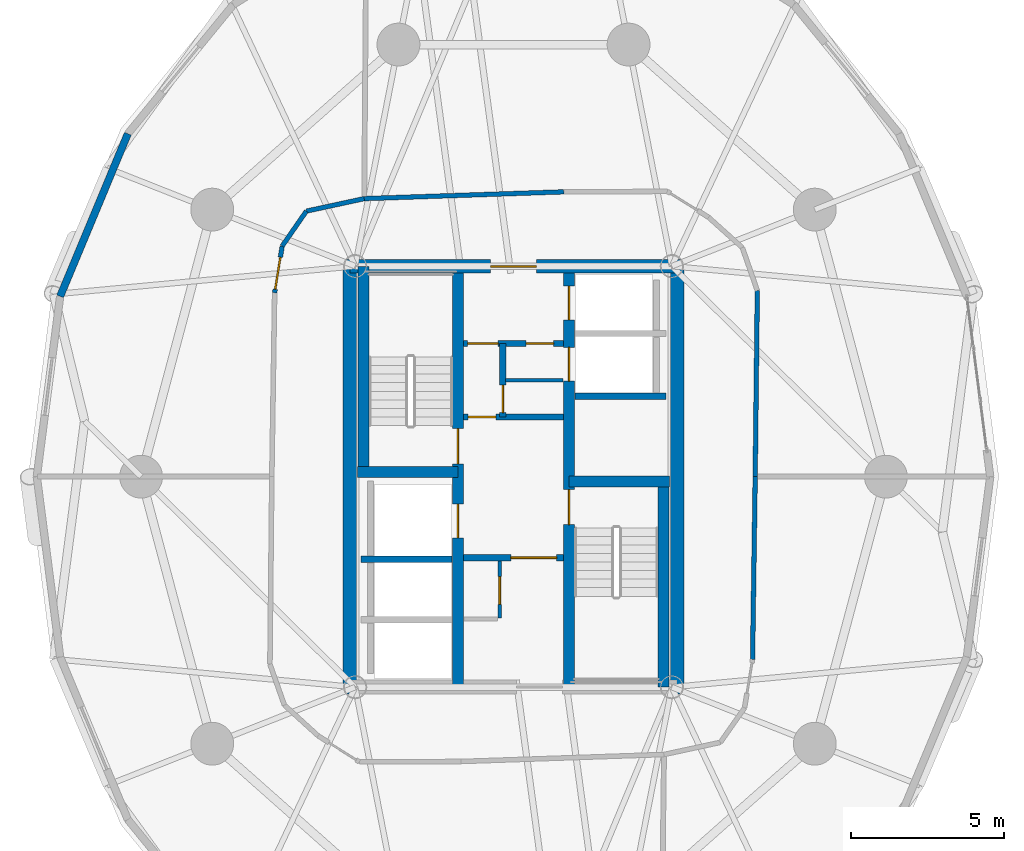
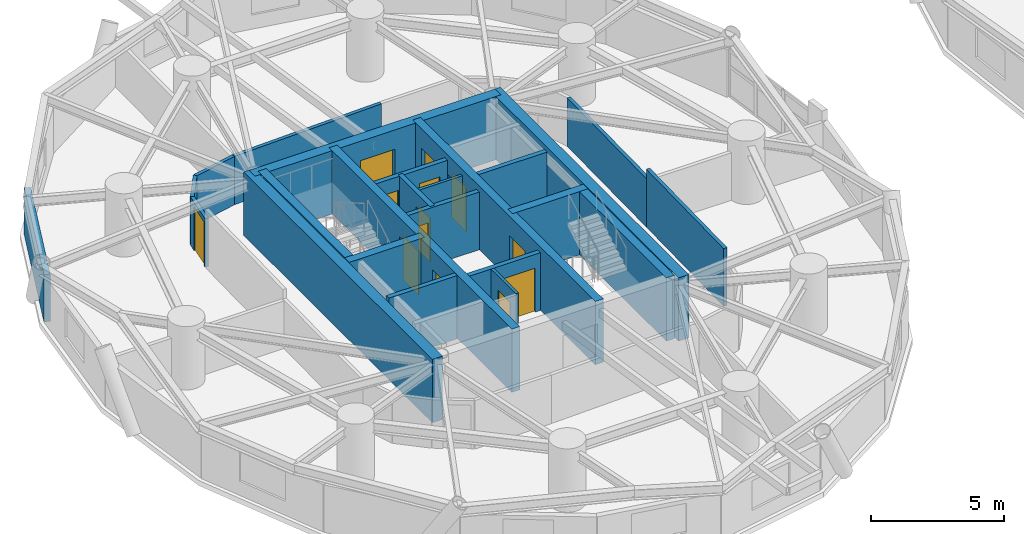
# One storey, part 10 of 16: 24 walls, 13 doors, 13 openings.
"""IFC4 building model written with IfcOpenShell, lengths in metres."""

from ifc_helpers import new_model, si_unit, direction, frame, frame_2d, origin, place, context, subcontext, project, spatial, rectangle, extrude, source, transform, mapped, material, layer, layer_set, type_object, element, fill, save


model = new_model("IFC4")

# Units and contexts
model_context = context("Model", 3, precision=1e-05, world=origin(), true_north=direction((0.0, 1.0)))
body_context = subcontext(model_context, "Body", "Model", "MODEL_VIEW")
ifc_project = project(units=[si_unit("LENGTHUNIT", "METRE"), si_unit("AREAUNIT", "SQUARE_METRE"), si_unit("VOLUMEUNIT", "CUBIC_METRE"), si_unit("PLANEANGLEUNIT", "RADIAN"), si_unit("MASSUNIT", "GRAM", prefix="KILO")], contexts=[model_context])

# Site, building, storey
site_placement = place(None, origin())
site = spatial("IfcSite", under=ifc_project, at=site_placement, CompositionType="ELEMENT")
building_placement = place(site_placement, origin())
building = spatial("IfcBuilding", under=site, at=building_placement, Name="Cununo Teusaquillo Station Towers", CompositionType="ELEMENT")
storey_placement = place(building_placement, frame((0.0, 0.0, 73.06005859375)))
storey = spatial("IfcBuildingStorey", under=building, at=storey_placement, Name="L22", CompositionType="ELEMENT", Elevation=73.06005859375)

# Walls
ifc_material_1 = material(Name="Concrete C50/60", Category="concrete")
ifc_layer_1 = layer(ifc_material_1, 0.199951171875)
ifc_layer_set_1 = layer_set([ifc_layer_1], Name="Concrete C50/60")
wall_type_1 = type_object("IfcWallType", Name="WL-CORE-200", PredefinedType="SHEAR", material=ifc_layer_set_1)
for number, where, z_axis, x_axis, name in (
    (1, (11.52001953125, 21.800048828125, 0.0), (0.0, 0.0, 1.0), (1.0, 0.0, 0.0), "L22 Tower A Firefighting Lift Shaft South Shear Wall"),
    (2, (18.510009765625, 27.1298828125, 0.0), (0.0, 0.0, 1.0), (1.0, 0.0, 0.0), "L22 Tower A Low-Rise Lift Hoistway South Shear Wall"),
):
    element("IfcWall", number, at=place(storey_placement, frame(where, z_axis=z_axis, x_axis=x_axis)), inside=storey, type_object=wall_type_1, Name=name, PredefinedType="SHEAR", context=body_context, shape_type="SweptSolid", body=[
        extrude(rectangle(XDim=2.969970703125, YDim=0.199951171875, at=frame_2d((1.48486328125, 0.0))), origin(), (0.0, 0.0, 1.0), 2.909912109375),
    ])

# Wall, openings, doors
ifc_material_2 = material(Name="Concrete C50/60", Category="concrete")
ifc_layer_2 = layer(ifc_material_2, 0.35009765625)
ifc_layer_set_2 = layer_set([ifc_layer_2], Name="Concrete C50/60")
wall_type_2 = type_object("IfcWallType", Name="WL-CORE-350", PredefinedType="SHEAR", material=ifc_layer_set_2)
wall_1_placement = place(storey_placement, frame((14.68505859375, 17.625, 0.0), z_axis=(0.0, 0.0, 1.0), x_axis=(0.0, 1.0, 0.0)))
wall_1 = element("IfcWall", 3, at=wall_1_placement, inside=storey, type_object=wall_type_2, Name="L22 Tower A Core Shear Wall IW", PredefinedType="SHEAR", context=body_context, shape_type="SweptSolid", body=[
    extrude(rectangle(XDim=13.75, YDim=0.35009765625, at=frame_2d((6.875, 0.0))), origin(), (0.0, 0.0, 1.0), 2.909912109375),
])
shared_shape_1 = source(origin(), body_context, "Body", "SweptSolid", [
    extrude(rectangle(XDim=1.10009765625, YDim=2.014892578125, at=frame_2d((0.550048828125, 1.00732421875))), frame((0.0, 0.18505859375, 0.0), z_axis=(0.0, -1.0, 0.0), x_axis=(1.0, 0.0, 0.0)), (0.0, 0.0, 1.0), 0.3701171875),
])
opening_1_placement = place(wall_1_placement, frame((4.875, 0.0, 0.0)))
opening_1 = element("IfcOpeningElement", 4, at=opening_1_placement, cuts=wall_1, Name="Opening LD-01", PredefinedType="OPENING", context=body_context, shape_type="MappedRepresentation", body=[
    mapped(shared_shape_1, transform((0.0, 0.0, 0.0), x_axis=(1.0, 0.0, 0.0), y_axis=(0.0, 1.0, 0.0), z_axis=(0.0, 0.0, 1.0), scale=1.0)),
])
shared_shape_2 = source(origin(), body_context, "Body", "SweptSolid", [
    extrude(rectangle(XDim=1.14990234375, YDim=2.02001953125, at=frame_2d((0.574951171875, 1.010009765625))), frame((0.0, 0.18505859375, 0.0), z_axis=(0.0, -1.0, 0.0), x_axis=(1.0, 0.0, 0.0)), (0.0, 0.0, 1.0), 0.3701171875),
])
opening_2_placement = place(wall_1_placement, frame((7.294921875, 0.0, 0.0)))
opening_2 = element("IfcOpeningElement", 5, at=opening_2_placement, cuts=wall_1, Name="Opening D-ST1", PredefinedType="OPENING", context=body_context, shape_type="MappedRepresentation", body=[
    mapped(shared_shape_2, transform((0.0, 0.0, 0.0), x_axis=(1.0, 0.0, 0.0), y_axis=(0.0, 1.0, 0.0), z_axis=(0.0, 0.0, 1.0), scale=1.0)),
])
ifc_material_3 = material(Name="Galvanised fire-rated hollow steel door assembly", Category="steel")
door_type_1 = type_object("IfcDoorType", Name="DR-LIFT-1100", OperationType="SLIDING_TO_LEFT", PredefinedType="DOOR", material=ifc_material_3)
shared_shape_3 = source(origin(), body_context, "Body", "SweptSolid", [
    extrude(rectangle(XDim=1.10009765625, YDim=2.014892578125, at=frame_2d((0.550048828125, 1.00732421875))), frame((0.0, 0.02490234375, 0.0), z_axis=(0.0, -1.0, 0.0), x_axis=(1.0, 0.0, 0.0)), (0.0, 0.0, 1.0), 0.050048828125),
])
door_1_placement = place(opening_1_placement, origin())
door_1 = element("IfcDoor", 6, at=door_1_placement, inside=storey, type_object=door_type_1, Name="L22 Lift FL-T1 Sliding Landing Door", OperationType="SLIDING_TO_LEFT", OverallHeight=2.014892578125, OverallWidth=1.10009765625, PredefinedType="DOOR", context=body_context, shape_type="MappedRepresentation", body=[
    mapped(shared_shape_3, transform((0.0, 0.0, 0.0), x_axis=(1.0, 0.0, 0.0), y_axis=(0.0, 1.0, 0.0), z_axis=(0.0, 0.0, 1.0), scale=1.0)),
])
fill(opening_1, door_1)
ifc_material_4 = material(Name="Galvanised fire-rated hollow steel door assembly", Category="steel")
door_type_2 = type_object("IfcDoorType", Name="DR-STAIR-1150", OperationType="NOTDEFINED", PredefinedType="DOOR", material=ifc_material_4)
shared_shape_4 = source(origin(), body_context, "Body", "SweptSolid", [
    extrude(rectangle(XDim=1.14990234375, YDim=2.02001953125, at=frame_2d((0.574951171875, 1.010009765625))), frame((0.0, 0.02490234375, 0.0), z_axis=(0.0, -1.0, 0.0), x_axis=(1.0, 0.0, 0.0)), (0.0, 0.0, 1.0), 0.050048828125),
])
door_2_placement = place(opening_2_placement, origin())
door_2 = element("IfcDoor", 7, at=door_2_placement, inside=storey, type_object=door_type_2, Name="L22 Tower A Exit Stair 1 Fire Door", OperationType="SINGLE_SWING_LEFT", OverallHeight=2.02001953125, OverallWidth=1.14990234375, PredefinedType="DOOR", context=body_context, shape_type="MappedRepresentation", body=[
    mapped(shared_shape_4, transform((0.0, 0.0, 0.0), x_axis=(1.0, 0.0, 0.0), y_axis=(0.0, 1.0, 0.0), z_axis=(0.0, 0.0, 1.0), scale=1.0)),
])
fill(opening_2, door_2)

wall_2_placement = place(storey_placement, frame((18.31494140625, 17.625, 0.0), z_axis=(0.0, 0.0, 1.0), x_axis=(0.0, 1.0, 0.0)))
wall_2 = element("IfcWall", 8, at=wall_2_placement, inside=storey, type_object=wall_type_2, Name="L22 Tower A Core Shear Wall IE", PredefinedType="SHEAR", context=body_context, shape_type="SweptSolid", body=[
    extrude(rectangle(XDim=13.75, YDim=0.35009765625, at=frame_2d((6.875, 0.0))), origin(), (0.0, 0.0, 1.0), 2.909912109375),
])
opening_3_placement = place(wall_2_placement, frame((10.0, 0.0, 0.0)))
opening_3 = element("IfcOpeningElement", 9, at=opening_3_placement, cuts=wall_2, Name="Opening LD-01", PredefinedType="OPENING", context=body_context, shape_type="MappedRepresentation", body=[
    mapped(shared_shape_1, transform((0.0, 0.0, 0.0), x_axis=(1.0, 0.0, 0.0), y_axis=(0.0, 1.0, 0.0), z_axis=(0.0, 0.0, 1.0), scale=1.0)),
])
opening_4_placement = place(wall_2_placement, frame((12.0, 0.0, 0.0)))
opening_4 = element("IfcOpeningElement", 10, at=opening_4_placement, cuts=wall_2, Name="Opening LD-01", PredefinedType="OPENING", context=body_context, shape_type="MappedRepresentation", body=[
    mapped(shared_shape_1, transform((0.0, 0.0, 0.0), x_axis=(1.0, 0.0, 0.0), y_axis=(0.0, 1.0, 0.0), z_axis=(0.0, 0.0, 1.0), scale=1.0)),
])
opening_5_placement = place(wall_2_placement, frame((5.304931640625, 0.0, 0.0)))
opening_5 = element("IfcOpeningElement", 11, at=opening_5_placement, cuts=wall_2, Name="Opening D-ST1", PredefinedType="OPENING", context=body_context, shape_type="MappedRepresentation", body=[
    mapped(shared_shape_2, transform((0.0, 0.0, 0.0), x_axis=(1.0, 0.0, 0.0), y_axis=(0.0, 1.0, 0.0), z_axis=(0.0, 0.0, 1.0), scale=1.0)),
])
door_3_placement = place(opening_3_placement, origin())
door_3 = element("IfcDoor", 12, at=door_3_placement, inside=storey, type_object=door_type_1, Name="L22 Lift PL-T1-L1 Sliding Landing Door", OperationType="SLIDING_TO_LEFT", OverallHeight=2.014892578125, OverallWidth=1.10009765625, PredefinedType="DOOR", context=body_context, shape_type="MappedRepresentation", body=[
    mapped(shared_shape_3, transform((0.0, 0.0, 0.0), x_axis=(1.0, 0.0, 0.0), y_axis=(0.0, 1.0, 0.0), z_axis=(0.0, 0.0, 1.0), scale=1.0)),
])
fill(opening_3, door_3)
door_4_placement = place(opening_4_placement, origin())
door_4 = element("IfcDoor", 13, at=door_4_placement, inside=storey, type_object=door_type_1, Name="L22 Lift PL-T1-L2 Sliding Landing Door", OperationType="SLIDING_TO_RIGHT", OverallHeight=2.014892578125, OverallWidth=1.10009765625, PredefinedType="DOOR", context=body_context, shape_type="MappedRepresentation", body=[
    mapped(shared_shape_3, transform((0.0, 0.0, 0.0), x_axis=(1.0, 0.0, 0.0), y_axis=(0.0, 1.0, 0.0), z_axis=(0.0, 0.0, 1.0), scale=1.0)),
])
fill(opening_4, door_4)
door_5_placement = place(opening_5_placement, origin())
door_5 = element("IfcDoor", 14, at=door_5_placement, inside=storey, type_object=door_type_2, Name="L22 Tower A Exit Stair 2 Fire Door", OperationType="SINGLE_SWING_RIGHT", OverallHeight=2.02001953125, OverallWidth=1.14990234375, PredefinedType="DOOR", context=body_context, shape_type="MappedRepresentation", body=[
    mapped(shared_shape_4, transform((0.0, 0.0, 0.0), x_axis=(1.0, 0.0, 0.0), y_axis=(0.0, 1.0, 0.0), z_axis=(0.0, 0.0, 1.0), scale=1.0)),
])
fill(opening_5, door_5)

# Walls
wall_3_placement = place(storey_placement, frame((11.594970703125, 24.655029296875, 0.0), z_axis=(0.0, 0.0, 1.0), x_axis=(0.0, 1.0, 0.0)))
element("IfcWall", 15, at=wall_3_placement, inside=storey, type_object=wall_type_2, Name="L22 Tower A Core Shear Wall ST1W", PredefinedType="SHEAR", context=body_context, shape_type="SweptSolid", body=[
    extrude(rectangle(XDim=6.719970703125, YDim=0.35009765625, at=frame_2d((3.35986328125, 0.0))), origin(), (0.0, 0.0, 1.0), 2.909912109375),
])
wall_4_placement = place(storey_placement, frame((11.39990234375, 24.655029296875, 0.0), z_axis=(0.0, 0.0, 1.0), x_axis=(1.0, 0.0, 0.0)))
element("IfcWall", 16, at=wall_4_placement, inside=storey, type_object=wall_type_2, Name="L22 Tower A Core Shear Wall ST1S", PredefinedType="SHEAR", context=body_context, shape_type="SweptSolid", body=[
    extrude(rectangle(XDim=3.28515625, YDim=0.35009765625, at=frame_2d((1.642578125, 0.0))), origin(), (0.0, 0.0, 1.0), 2.909912109375),
])
wall_5_placement = place(storey_placement, frame((21.405029296875, 17.625, 0.0), z_axis=(0.0, 0.0, 1.0), x_axis=(0.0, 1.0, 0.0)))
element("IfcWall", 17, at=wall_5_placement, inside=storey, type_object=wall_type_2, Name="L22 Tower A Core Shear Wall ST2E", PredefinedType="SHEAR", context=body_context, shape_type="SweptSolid", body=[
    extrude(rectangle(XDim=6.719970703125, YDim=0.35009765625, at=frame_2d((3.35986328125, 0.0))), origin(), (0.0, 0.0, 1.0), 2.909912109375),
])
wall_6_placement = place(storey_placement, frame((18.31494140625, 24.344970703125, 0.0), z_axis=(0.0, 0.0, 1.0), x_axis=(1.0, 0.0, 0.0)))
element("IfcWall", 18, at=wall_6_placement, inside=storey, type_object=wall_type_2, Name="L22 Tower A Core Shear Wall ST2N", PredefinedType="SHEAR", context=body_context, shape_type="SweptSolid", body=[
    extrude(rectangle(XDim=3.28515625, YDim=0.35009765625, at=frame_2d((1.642578125, 0.0))), origin(), (0.0, 0.0, 1.0), 2.909912109375),
])
ifc_material_5 = material(Name="Concrete C60/75", Category="concrete")
ifc_layer_3 = layer(ifc_material_5, 0.449951171875)
ifc_layer_set_3 = layer_set([ifc_layer_3], Name="Concrete C60/75")
wall_type_3 = type_object("IfcWallType", Name="WL-CORE-450", PredefinedType="SHEAR", material=ifc_layer_set_3)
for number, where, z_axis, x_axis, name in (
    (19, (11.14990234375, 17.39990234375, 0.0), (0.0, 0.0, 1.0), (0.0, 1.0, 0.0), "L22 Tower A Core Shear Wall W"),
    (20, (21.85009765625, 17.39990234375, 0.0), (0.0, 0.0, 1.0), (0.0, 1.0, 0.0), "L22 Tower A Core Shear Wall E"),
):
    element("IfcWall", number, at=place(storey_placement, frame(where, z_axis=z_axis, x_axis=x_axis)), inside=storey, type_object=wall_type_3, Name=name, PredefinedType="SHEAR", context=body_context, shape_type="SweptSolid", body=[
        extrude(rectangle(XDim=14.2001953125, YDim=0.449951171875, at=frame_2d((7.10009765625, 0.0))), origin(), (0.0, 0.0, 1.0), 2.909912109375),
    ])

# Wall, opening, door
wall_7_placement = place(storey_placement, frame((11.14990234375, 31.375, 0.0), z_axis=(0.0, 0.0, 1.0), x_axis=(1.0, 0.0, 0.0)))
wall_7 = element("IfcWall", 21, at=wall_7_placement, inside=storey, type_object=wall_type_3, Name="L22 Tower A Core Shear Wall N", PredefinedType="SHEAR", context=body_context, shape_type="SweptSolid", body=[
    extrude(rectangle(XDim=10.7001953125, YDim=0.449951171875, at=frame_2d((5.35009765625, 0.0))), origin(), (0.0, 0.0, 1.0), 2.909912109375),
])
shared_shape_5 = source(origin(), body_context, "Body", "SweptSolid", [
    extrude(rectangle(XDim=1.5, YDim=2.02001953125, at=frame_2d((0.75, 1.010009765625))), frame((0.0, 0.23486328125, 0.0), z_axis=(0.0, -1.0, 0.0), x_axis=(1.0, 0.0, 0.0)), (0.0, 0.0, 1.0), 0.469970703125),
])
opening_6_placement = place(wall_7_placement, frame((4.60009765625, 0.0, 0.0)))
opening_6 = element("IfcOpeningElement", 22, at=opening_6_placement, cuts=wall_7, Name="Opening D-LB1", PredefinedType="OPENING", context=body_context, shape_type="MappedRepresentation", body=[
    mapped(shared_shape_5, transform((0.0, 0.0, 0.0), x_axis=(1.0, 0.0, 0.0), y_axis=(0.0, 1.0, 0.0), z_axis=(0.0, 0.0, 1.0), scale=1.0)),
])
ifc_material_6 = material(Name="Galvanised fire-rated hollow steel door assembly", Category="steel")
door_type_3 = type_object("IfcDoorType", Name="DR-LOBBY-1500", OperationType="DOUBLE_DOOR_SINGLE_SWING", PredefinedType="DOOR", material=ifc_material_6)
shared_shape_6 = source(origin(), body_context, "Body", "SweptSolid", [
    extrude(rectangle(XDim=1.5, YDim=2.02001953125, at=frame_2d((0.75, 1.010009765625))), frame((0.0, 0.02490234375, 0.0), z_axis=(0.0, -1.0, 0.0), x_axis=(1.0, 0.0, 0.0)), (0.0, 0.0, 1.0), 0.050048828125),
])
door_6_placement = place(opening_6_placement, origin())
door_6 = element("IfcDoor", 23, at=door_6_placement, inside=storey, type_object=door_type_3, Name="L22 Tower A North Core Lift Lobby Door", OperationType="DOUBLE_DOOR_SINGLE_SWING", OverallHeight=2.02001953125, OverallWidth=1.5, PredefinedType="DOOR", context=body_context, shape_type="MappedRepresentation", body=[
    mapped(shared_shape_6, transform((0.0, 0.0, 0.0), x_axis=(1.0, 0.0, 0.0), y_axis=(0.0, 1.0, 0.0), z_axis=(0.0, 0.0, 1.0), scale=1.0)),
])
fill(opening_6, door_6)

# Wall
ifc_material_7 = material(Name="Precast concrete C40/50", Category="concrete")
ifc_layer_4 = layer(ifc_material_7, 0.239990234375)
ifc_layer_set_4 = layer_set([ifc_layer_4], Name="Precast concrete C40/50")
wall_type_4 = type_object("IfcWallType", Name="WL-EXT-240", PredefinedType="SOLIDWALL", material=ifc_layer_set_4)
wall_8_placement = place(storey_placement, frame((1.681640625, 30.39306640625, 0.0), z_axis=(0.0, 0.0, 1.0), x_axis=(0.384344417632, 0.923189779317, 0.0)))
element("IfcWall", 24, at=wall_8_placement, inside=storey, type_object=wall_type_4, Name="L22 Tower A Exterior Facade Wall C08", PredefinedType="SOLIDWALL", context=body_context, shape_type="SweptSolid", body=[
    extrude(rectangle(XDim=5.75830078125, YDim=0.239990234375, at=frame_2d((2.879150390625, 0.0))), origin(), (0.0, 0.0, 1.0), 2.178955078125),
])

# Wall, opening, door
ifc_material_8 = material(Name="Fire-rated gypsum plasterboard partition assembly", Category="gypsum")
ifc_layer_5 = layer(ifc_material_8, 0.125)
ifc_layer_set_5 = layer_set([ifc_layer_5], Name="Fire-rated gypsum plasterboard partition assembly")
wall_type_5 = type_object("IfcWallType", Name="WL-PART-125", PredefinedType="PARTITIONING", material=ifc_layer_set_5)
wall_9_placement = place(storey_placement, frame((16.050048828125, 19.8798828125, 0.0), z_axis=(0.0, 0.0, 1.0), x_axis=(0.0, 1.0, 0.0)))
wall_9 = element("IfcWall", 25, at=wall_9_placement, inside=storey, type_object=wall_type_5, Name="L22 Tower A North-West Lobby Store East Wall", PredefinedType="PARTITIONING", context=body_context, shape_type="SweptSolid", body=[
    extrude(rectangle(XDim=1.8701171875, YDim=0.125, at=frame_2d((0.93505859375, 0.0))), origin(), (0.0, 0.0, 1.0), 2.655029296875),
])
shared_shape_7 = source(origin(), body_context, "Body", "SweptSolid", [
    extrude(rectangle(XDim=0.89990234375, YDim=2.0048828125, at=frame_2d((0.449951171875, 1.00244140625))), frame((0.0, 0.072509765625, 0.0), z_axis=(0.0, -1.0, 0.0), x_axis=(1.0, 0.0, 0.0)), (0.0, 0.0, 1.0), 0.14501953125),
])
opening_7_placement = place(wall_9_placement, frame((0.449951171875, 0.0, 0.0)))
opening_7 = element("IfcOpeningElement", 26, at=opening_7_placement, cuts=wall_9, Name="Opening D-SR1", PredefinedType="OPENING", context=body_context, shape_type="MappedRepresentation", body=[
    mapped(shared_shape_7, transform((0.0, 0.0, 0.0), x_axis=(1.0, 0.0, 0.0), y_axis=(0.0, 1.0, 0.0), z_axis=(0.0, 0.0, 1.0), scale=1.0)),
])
ifc_material_9 = material(Name="Galvanised fire-rated hollow steel door assembly", Category="steel")
door_type_4 = type_object("IfcDoorType", Name="DR-STORE-900", OperationType="NOTDEFINED", PredefinedType="DOOR", material=ifc_material_9)
shared_shape_8 = source(origin(), body_context, "Body", "SweptSolid", [
    extrude(rectangle(XDim=0.89990234375, YDim=2.0048828125, at=frame_2d((0.449951171875, 1.00244140625))), frame((0.0, 0.02490234375, 0.0), z_axis=(0.0, -1.0, 0.0), x_axis=(1.0, 0.0, 0.0)), (0.0, 0.0, 1.0), 0.050048828125),
])
door_7_placement = place(opening_7_placement, origin())
door_7 = element("IfcDoor", 27, at=door_7_placement, inside=storey, type_object=door_type_4, Name="L22 Tower A South Lobby Data Store Door", OperationType="SINGLE_SWING_LEFT", OverallHeight=2.0048828125, OverallWidth=0.89990234375, PredefinedType="DOOR", context=body_context, shape_type="MappedRepresentation", body=[
    mapped(shared_shape_8, transform((0.0, 0.0, 0.0), x_axis=(1.0, 0.0, 0.0), y_axis=(0.0, 1.0, 0.0), z_axis=(0.0, 0.0, 1.0), scale=1.0)),
])
fill(opening_7, door_7)

# Walls
wall_10_placement = place(storey_placement, frame((16.239990234375, 27.64990234375, 0.0), z_axis=(0.0, 0.0, 1.0), x_axis=(1.0, 0.0, 0.0)))
element("IfcWall", 28, at=wall_10_placement, inside=storey, type_object=wall_type_5, Name="L22 Tower A Core Horizontal Split Wall", PredefinedType="PARTITIONING", context=body_context, shape_type="SweptSolid", body=[
    extrude(rectangle(XDim=1.880126953125, YDim=0.125, at=frame_2d((0.93994140625, 0.0))), origin(), (0.0, 0.0, 1.0), 2.655029296875),
])
ifc_material_10 = material(Name="Fire-rated gypsum plasterboard partition assembly", Category="gypsum")
ifc_layer_6 = layer(ifc_material_10, 0.14990234375)
ifc_layer_set_6 = layer_set([ifc_layer_6], Name="Fire-rated gypsum plasterboard partition assembly")
wall_type_6 = type_object("IfcWallType", Name="WL-PART-150", PredefinedType="PARTITIONING", material=ifc_layer_set_6)
wall_11_placement = place(storey_placement, frame((24.39990234375, 24.5, 0.0), z_axis=(0.0, 0.0, 1.0), x_axis=(0.011359710161, 0.999935476411, 0.0)))
element("IfcWall", 29, at=wall_11_placement, inside=storey, type_object=wall_type_6, Name="L22 Tower A Corridor Ring Wall C00", PredefinedType="PARTITIONING", context=body_context, shape_type="SweptSolid", body=[
    extrude(rectangle(XDim=6.082275390625, YDim=0.14990234375, at=frame_2d((3.041015625, 0.0))), origin(), (0.0, 0.0, 1.0), 2.224853515625),
])
wall_12_placement = place(storey_placement, frame((18.142822265625, 33.8095703125, 0.0), z_axis=(0.0, 0.0, 1.0), x_axis=(-0.999423023908, -0.033964971394, 0.0)))
element("IfcWall", 30, at=wall_12_placement, inside=storey, type_object=wall_type_6, Name="L22 Tower A Corridor Ring Wall C05", PredefinedType="PARTITIONING", context=body_context, shape_type="SweptSolid", body=[
    extrude(rectangle(XDim=6.526611328125, YDim=0.14990234375, at=frame_2d((3.26318359375, 0.0))), origin(), (0.0, 0.0, 1.0), 2.224853515625),
])
wall_13_placement = place(storey_placement, frame((11.619873046875, 33.587890625, 0.0), z_axis=(0.0, 0.0, 1.0), x_axis=(-0.977392314559, -0.211433827571, 0.0)))
element("IfcWall", 31, at=wall_13_placement, inside=storey, type_object=wall_type_6, Name="L22 Tower A Corridor Ring Wall C06", PredefinedType="PARTITIONING", context=body_context, shape_type="SweptSolid", body=[
    extrude(rectangle(XDim=1.93408203125, YDim=0.14990234375, at=frame_2d((0.967041015625, 0.0))), origin(), (0.0, 0.0, 1.0), 2.224853515625),
])
wall_14_placement = place(storey_placement, frame((9.7294921875, 33.178955078125, 0.0), z_axis=(0.0, 0.0, 1.0), x_axis=(-0.569155068352, -0.822230203878, 0.0)))
element("IfcWall", 32, at=wall_14_placement, inside=storey, type_object=wall_type_6, Name="L22 Tower A Corridor Ring Wall C07", PredefinedType="PARTITIONING", context=body_context, shape_type="SweptSolid", body=[
    extrude(rectangle(XDim=1.38720703125, YDim=0.14990234375, at=frame_2d((0.693603515625, 0.0))), origin(), (0.0, 0.0, 1.0), 2.224853515625),
])

# Wall, opening, door
wall_15_placement = place(storey_placement, frame((8.93994140625, 32.038330078125, 0.0), z_axis=(0.0, 0.0, 1.0), x_axis=(-0.159917336462, -0.987130409571, 0.0)))
wall_15 = element("IfcWall", 33, at=wall_15_placement, inside=storey, type_object=wall_type_6, Name="L22 Tower A Corridor Ring Wall C08", PredefinedType="PARTITIONING", context=body_context, shape_type="SweptSolid", body=[
    extrude(rectangle(XDim=1.546630859375, YDim=0.14990234375, at=frame_2d((0.7734375, 0.0))), origin(), (0.0, 0.0, 1.0), 2.224853515625),
])
shared_shape_9 = source(origin(), body_context, "Body", "SweptSolid", [
    extrude(rectangle(XDim=1.050048828125, YDim=2.014892578125, at=frame_2d((0.52490234375, 1.00732421875))), frame((0.0, 0.0849609375, 0.0), z_axis=(0.0, -1.0, 0.0), x_axis=(1.0, 0.0, 0.0)), (0.0, 0.0, 1.0), 0.169921875),
])
opening_8_placement = place(wall_15_placement, frame((0.376708984375, 0.0, 0.0)))
opening_8 = element("IfcOpeningElement", 34, at=opening_8_placement, cuts=wall_15, Name="Opening D-SU1", PredefinedType="OPENING", context=body_context, shape_type="MappedRepresentation", body=[
    mapped(shared_shape_9, transform((0.0, 0.0, 0.0), x_axis=(1.0, 0.0, 0.0), y_axis=(0.0, 1.0, 0.0), z_axis=(0.0, 0.0, 1.0), scale=1.0)),
])
ifc_material_11 = material(Name="Acoustic solid-core hardwood leaf assembly", Category="wood")
door_type_5 = type_object("IfcDoorType", Name="DR-SUITE-1050", OperationType="NOTDEFINED", PredefinedType="DOOR", material=ifc_material_11)
shared_shape_10 = source(origin(), body_context, "Body", "SweptSolid", [
    extrude(rectangle(XDim=1.050048828125, YDim=2.014892578125, at=frame_2d((0.52490234375, 1.00732421875))), frame((0.0, 0.02490234375, 0.0), z_axis=(0.0, -1.0, 0.0), x_axis=(1.0, 0.0, 0.0)), (0.0, 0.0, 1.0), 0.050048828125),
])
door_8_placement = place(opening_8_placement, origin())
door_8 = element("IfcDoor", 35, at=door_8_placement, inside=storey, type_object=door_type_5, Name="L22 Tower A West Project Collaboration Hub Entrance Door", OperationType="SINGLE_SWING_LEFT", OverallHeight=2.014892578125, OverallWidth=1.050048828125, PredefinedType="DOOR", context=body_context, shape_type="MappedRepresentation", body=[
    mapped(shared_shape_10, transform((0.0, 0.0, 0.0), x_axis=(1.0, 0.0, 0.0), y_axis=(0.0, 1.0, 0.0), z_axis=(0.0, 0.0, 1.0), scale=1.0)),
])
fill(opening_8, door_8)

# Wall
wall_16_placement = place(storey_placement, frame((24.3134765625, 18.52880859375, 0.0), z_axis=(0.0, 0.0, 1.0), x_axis=(0.014472275982, 0.99989527113, 0.0)))
element("IfcWall", 36, at=wall_16_placement, inside=storey, type_object=wall_type_6, Name="L22 Tower A Corridor Ring Wall C19", PredefinedType="PARTITIONING", context=body_context, shape_type="SweptSolid", body=[
    extrude(rectangle(XDim=5.971923828125, YDim=0.14990234375, at=frame_2d((2.98583984375, 0.0))), origin(), (0.0, 0.0, 1.0), 2.655029296875),
])

# Wall, opening, door
ifc_material_12 = material(Name="Fire-rated gypsum plasterboard partition assembly", Category="gypsum")
ifc_layer_7 = layer(ifc_material_12, 0.199951171875)
ifc_layer_set_7 = layer_set([ifc_layer_7], Name="Fire-rated gypsum plasterboard partition assembly")
wall_type_7 = type_object("IfcWallType", Name="WL-PART-200", PredefinedType="PARTITIONING", material=ifc_layer_set_7)
wall_17_placement = place(storey_placement, frame((14.860107421875, 21.85009765625, 0.0), z_axis=(0.0, 0.0, 1.0), x_axis=(1.0, 0.0, 0.0)))
wall_17 = element("IfcWall", 37, at=wall_17_placement, inside=storey, type_object=wall_type_7, Name="L22 Tower A Firefighting Lift Lobby South Fire Wall", PredefinedType="PARTITIONING", context=body_context, shape_type="SweptSolid", body=[
    extrude(rectangle(XDim=3.27978515625, YDim=0.199951171875, at=frame_2d((1.639892578125, 0.0))), origin(), (0.0, 0.0, 1.0), 2.655029296875),
])
shared_shape_11 = source(origin(), body_context, "Body", "SweptSolid", [
    extrude(rectangle(XDim=1.5, YDim=2.02001953125, at=frame_2d((0.75, 1.010009765625))), frame((0.0, 0.10986328125, 0.0), z_axis=(0.0, -1.0, 0.0), x_axis=(1.0, 0.0, 0.0)), (0.0, 0.0, 1.0), 0.219970703125),
])
opening_9_placement = place(wall_17_placement, frame((1.550048828125, 0.0, 0.0)))
opening_9 = element("IfcOpeningElement", 38, at=opening_9_placement, cuts=wall_17, Name="Opening D-LB1", PredefinedType="OPENING", context=body_context, shape_type="MappedRepresentation", body=[
    mapped(shared_shape_11, transform((0.0, 0.0, 0.0), x_axis=(1.0, 0.0, 0.0), y_axis=(0.0, 1.0, 0.0), z_axis=(0.0, 0.0, 1.0), scale=1.0)),
])
door_9_placement = place(opening_9_placement, origin())
door_9 = element("IfcDoor", 39, at=door_9_placement, inside=storey, type_object=door_type_3, Name="L22 Tower A Firefighting Lift Lobby South Fire Door", OperationType="DOUBLE_DOOR_SINGLE_SWING", OverallHeight=2.02001953125, OverallWidth=1.5, PredefinedType="DOOR", context=body_context, shape_type="MappedRepresentation", body=[
    mapped(shared_shape_6, transform((0.0, 0.0, 0.0), x_axis=(1.0, 0.0, 0.0), y_axis=(0.0, 1.0, 0.0), z_axis=(0.0, 0.0, 1.0), scale=1.0)),
])
fill(opening_9, door_9)

wall_18_placement = place(storey_placement, frame((14.860107421875, 26.449951171875, 0.0), z_axis=(0.0, 0.0, 1.0), x_axis=(1.0, 0.0, 0.0)))
wall_18 = element("IfcWall", 40, at=wall_18_placement, inside=storey, type_object=wall_type_7, Name="L22 Tower A Firefighting Lift Lobby North Fire Wall", PredefinedType="PARTITIONING", context=body_context, shape_type="SweptSolid", body=[
    extrude(rectangle(XDim=3.27978515625, YDim=0.199951171875, at=frame_2d((1.639892578125, 0.0))), origin(), (0.0, 0.0, 1.0), 2.655029296875),
])
shared_shape_12 = source(origin(), body_context, "Body", "SweptSolid", [
    extrude(rectangle(XDim=0.89990234375, YDim=2.0048828125, at=frame_2d((0.449951171875, 1.00244140625))), frame((0.0, 0.10986328125, 0.0), z_axis=(0.0, -1.0, 0.0), x_axis=(1.0, 0.0, 0.0)), (0.0, 0.0, 1.0), 0.219970703125),
])
opening_10_placement = place(wall_18_placement, frame((0.159912109375, 0.0, 0.0)))
opening_10 = element("IfcOpeningElement", 41, at=opening_10_placement, cuts=wall_18, Name="Opening D-SR1", PredefinedType="OPENING", context=body_context, shape_type="MappedRepresentation", body=[
    mapped(shared_shape_12, transform((0.0, 0.0, 0.0), x_axis=(1.0, 0.0, 0.0), y_axis=(0.0, 1.0, 0.0), z_axis=(0.0, 0.0, 1.0), scale=1.0)),
])
door_10_placement = place(opening_10_placement, origin())
door_10 = element("IfcDoor", 42, at=door_10_placement, inside=storey, type_object=door_type_4, Name="L22 Tower A Stair 1 Protected Vestibule South Door", OperationType="SINGLE_SWING_LEFT", OverallHeight=2.0048828125, OverallWidth=0.89990234375, PredefinedType="DOOR", context=body_context, shape_type="MappedRepresentation", body=[
    mapped(shared_shape_8, transform((0.0, 0.0, 0.0), x_axis=(1.0, 0.0, 0.0), y_axis=(0.0, 1.0, 0.0), z_axis=(0.0, 0.0, 1.0), scale=1.0)),
])
fill(opening_10, door_10)

wall_19_placement = place(storey_placement, frame((16.14990234375, 26.449951171875, 0.0), z_axis=(0.0, 0.0, 1.0), x_axis=(0.0, 1.0, 0.0)))
wall_19 = element("IfcWall", 43, at=wall_19_placement, inside=storey, type_object=wall_type_7, Name="L22 Tower A Stair 1 Vestibule Partition Wall", PredefinedType="PARTITIONING", context=body_context, shape_type="SweptSolid", body=[
    extrude(rectangle(XDim=2.400146484375, YDim=0.199951171875, at=frame_2d((1.2001953125, 0.0))), origin(), (0.0, 0.0, 1.0), 2.655029296875),
])
opening_11_placement = place(wall_19_placement, frame((0.139892578125, 0.0, 0.0)))
opening_11 = element("IfcOpeningElement", 44, at=opening_11_placement, cuts=wall_19, Name="Opening D-SR1", PredefinedType="OPENING", context=body_context, shape_type="MappedRepresentation", body=[
    mapped(shared_shape_12, transform((0.0, 0.0, 0.0), x_axis=(1.0, 0.0, 0.0), y_axis=(0.0, 1.0, 0.0), z_axis=(0.0, 0.0, 1.0), scale=1.0)),
])
door_11_placement = place(opening_11_placement, origin())
door_11 = element("IfcDoor", 45, at=door_11_placement, inside=storey, type_object=door_type_4, Name="L22 Tower A Core Linen Store Door", OperationType="SINGLE_SWING_RIGHT", OverallHeight=2.0048828125, OverallWidth=0.89990234375, PredefinedType="DOOR", context=body_context, shape_type="MappedRepresentation", body=[
    mapped(shared_shape_8, transform((0.0, 0.0, 0.0), x_axis=(1.0, 0.0, 0.0), y_axis=(0.0, 1.0, 0.0), z_axis=(0.0, 0.0, 1.0), scale=1.0)),
])
fill(opening_11, door_11)

# Wall, openings, doors
wall_20_placement = place(storey_placement, frame((14.860107421875, 28.85009765625, 0.0), z_axis=(0.0, 0.0, 1.0), x_axis=(1.0, 0.0, 0.0)))
wall_20 = element("IfcWall", 46, at=wall_20_placement, inside=storey, type_object=wall_type_7, Name="L22 Tower A North Lift Lobby South Fire Wall", PredefinedType="PARTITIONING", context=body_context, shape_type="SweptSolid", body=[
    extrude(rectangle(XDim=3.27978515625, YDim=0.199951171875, at=frame_2d((1.639892578125, 0.0))), origin(), (0.0, 0.0, 1.0), 2.655029296875),
])
shared_shape_13 = source(origin(), body_context, "Body", "SweptSolid", [
    extrude(rectangle(XDim=1.0, YDim=2.014892578125, at=frame_2d((0.5, 1.00732421875))), frame((0.0, 0.10986328125, 0.0), z_axis=(0.0, -1.0, 0.0), x_axis=(1.0, 0.0, 0.0)), (0.0, 0.0, 1.0), 0.219970703125),
])
opening_12_placement = place(wall_20_placement, frame((0.139892578125, 0.0, 0.0)))
opening_12 = element("IfcOpeningElement", 47, at=opening_12_placement, cuts=wall_20, Name="Opening D-AC1", PredefinedType="OPENING", context=body_context, shape_type="MappedRepresentation", body=[
    mapped(shared_shape_13, transform((0.0, 0.0, 0.0), x_axis=(1.0, 0.0, 0.0), y_axis=(0.0, 1.0, 0.0), z_axis=(0.0, 0.0, 1.0), scale=1.0)),
])
opening_13_placement = place(wall_20_placement, frame((2.050048828125, 0.0, 0.0)))
opening_13 = element("IfcOpeningElement", 48, at=opening_13_placement, cuts=wall_20, Name="Opening D-SR1", PredefinedType="OPENING", context=body_context, shape_type="MappedRepresentation", body=[
    mapped(shared_shape_12, transform((0.0, 0.0, 0.0), x_axis=(1.0, 0.0, 0.0), y_axis=(0.0, 1.0, 0.0), z_axis=(0.0, 0.0, 1.0), scale=1.0)),
])
door_12_placement = place(opening_13_placement, origin())
door_12 = element("IfcDoor", 49, at=door_12_placement, inside=storey, type_object=door_type_4, Name="L22 Tower A Core Comms Room Door", OperationType="SINGLE_SWING_LEFT", OverallHeight=2.0048828125, OverallWidth=0.89990234375, PredefinedType="DOOR", context=body_context, shape_type="MappedRepresentation", body=[
    mapped(shared_shape_8, transform((0.0, 0.0, 0.0), x_axis=(1.0, 0.0, 0.0), y_axis=(0.0, 1.0, 0.0), z_axis=(0.0, 0.0, 1.0), scale=1.0)),
])
fill(opening_13, door_12)
ifc_material_13 = material(Name="Acoustic solid-core hardwood leaf assembly", Category="wood")
door_type_6 = type_object("IfcDoorType", Name="DR-ACC-1000", OperationType="NOTDEFINED", PredefinedType="DOOR", material=ifc_material_13)
shared_shape_14 = source(origin(), body_context, "Body", "SweptSolid", [
    extrude(rectangle(XDim=1.0, YDim=2.014892578125, at=frame_2d((0.5, 1.00732421875))), frame((0.0, 0.02490234375, 0.0), z_axis=(0.0, -1.0, 0.0), x_axis=(1.0, 0.0, 0.0)), (0.0, 0.0, 1.0), 0.050048828125),
])
door_13_placement = place(opening_12_placement, origin())
door_13 = element("IfcDoor", 50, at=door_13_placement, inside=storey, type_object=door_type_6, Name="L22 Tower A North Lift Lobby to Stair 1 Vestibule Door", OperationType="SINGLE_SWING_RIGHT", OverallHeight=2.014892578125, OverallWidth=1.0, PredefinedType="DOOR", context=body_context, shape_type="MappedRepresentation", body=[
    mapped(shared_shape_14, transform((0.0, 0.0, 0.0), x_axis=(1.0, 0.0, 0.0), y_axis=(0.0, 1.0, 0.0), z_axis=(0.0, 0.0, 1.0), scale=1.0)),
])
fill(opening_12, door_13)

save(model, "model.ifc")
